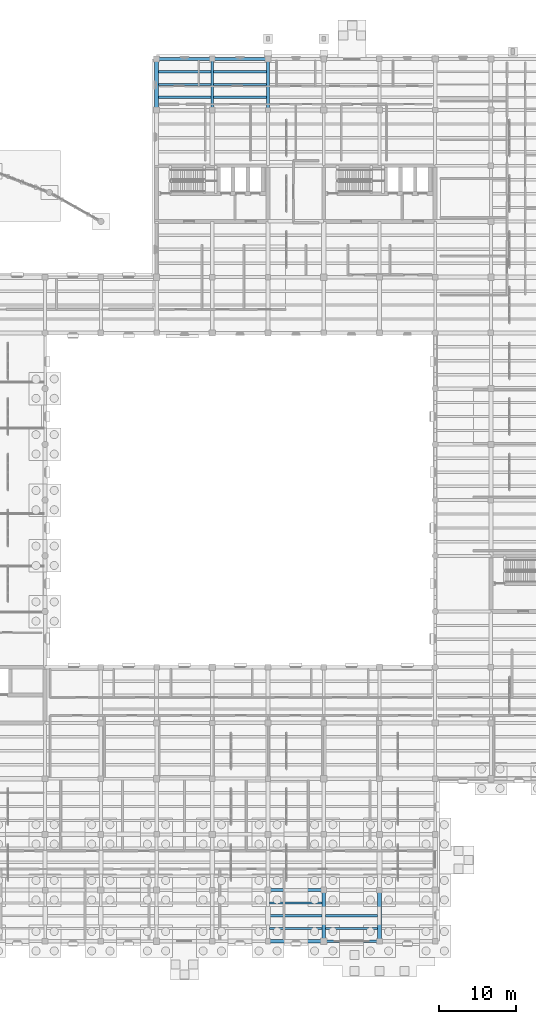
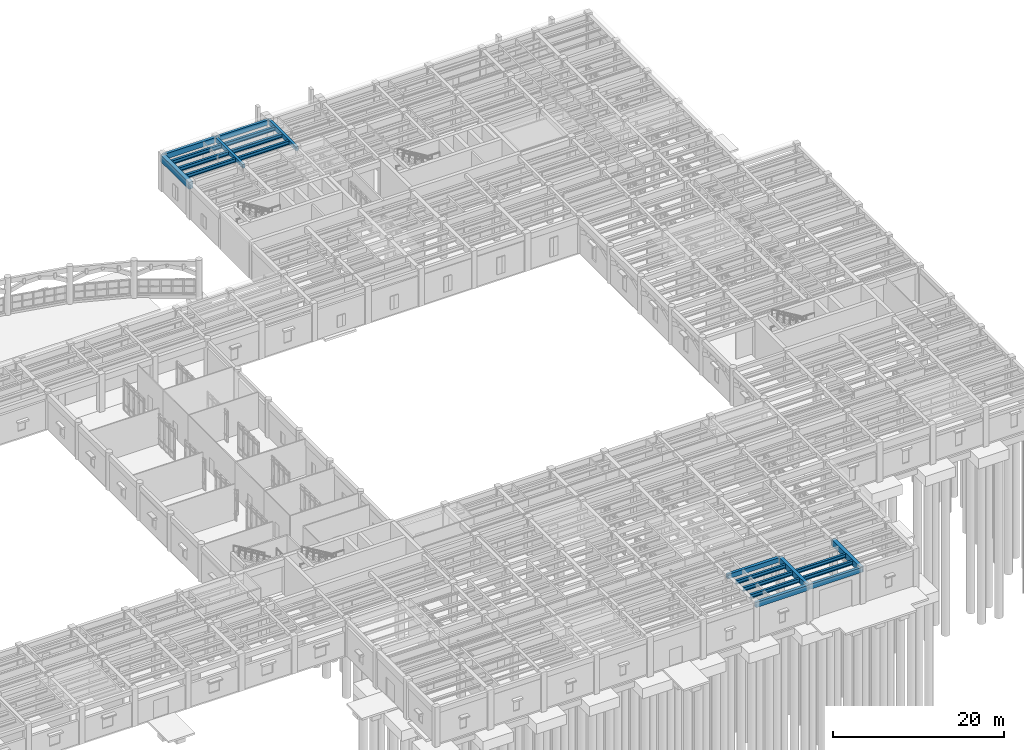
# One storey, part 34 of 100: 21 beams.
"""IFC4 building model written with IfcOpenShell, lengths in metres."""

from ifc_helpers import new_model, si_unit, direction, frame, origin, origin_2d, place, context, subcontext, project, spatial, rectangle, i_section, extrude, material, material_profile, profile_set, type_object, element, save


model = new_model("IFC4")

# Units and contexts
model_context = context("Model", 3, precision=1e-05, world=origin(), true_north=direction((0.0, 1.0)))
body_context = subcontext(model_context, "Body", "Model", "MODEL_VIEW")
ifc_project = project(units=[si_unit("LENGTHUNIT", "METRE"), si_unit("AREAUNIT", "SQUARE_METRE"), si_unit("VOLUMEUNIT", "CUBIC_METRE"), si_unit("PLANEANGLEUNIT", "RADIAN"), si_unit("MASSUNIT", "GRAM", prefix="KILO")], contexts=[model_context])

# Site, building, storey
site_placement = place(None, origin())
site = spatial("IfcSite", under=ifc_project, at=site_placement, CompositionType="ELEMENT")
building_placement = place(site_placement, origin())
building = spatial("IfcBuilding", under=site, at=building_placement, Name="Mithqara Police Headquarters", CompositionType="ELEMENT")
storey_placement = place(building_placement, origin())
storey = spatial("IfcBuildingStorey", under=building, at=storey_placement, Name="L00", CompositionType="ELEMENT", Elevation=0.0)

# Beams
ifc_material_1 = material(Name="Steel S355JR", Category="steel")
ifc_material_profile_1 = material_profile(ifc_material_1, i_section(OverallWidth=0.300048828125, OverallDepth=0.550048828125, WebThickness=0.014892578125, FlangeThickness=0.029052734375, FilletRadius=0.027099609375, at=origin_2d()), Name="HEB 550")
ifc_profile_set_1 = profile_set([ifc_material_profile_1], Name="Steel S355JR")
beam_type_1 = type_object("IfcBeamType", Name="BEAM HEB550", PredefinedType="BEAM", material=ifc_profile_set_1)
for number, where, z_axis, x_axis, name in (
    (1, (108.875, 109.050048828125, 4.844970703125), (1.0, 0.0, 0.0), (0.0, 1.0, 0.0), "L00 Composite Steel Joist 16-17/R.1"),
    (2, (108.875, 110.699951171875, 4.844970703125), (1.0, 0.0, 0.0), (0.0, 1.0, 0.0), "L00 Composite Steel Joist 16-17/R.2"),
    (3, (108.875, 112.35009765625, 4.844970703125), (1.0, 0.0, 0.0), (0.0, 1.0, 0.0), "L00 Composite Steel Joist 16-17/R.3"),
):
    element("IfcBeam", number, at=place(storey_placement, frame(where, z_axis=z_axis, x_axis=x_axis)), inside=storey, type_object=beam_type_1, Name=name, PredefinedType="BEAM", context=body_context, shape_type="SweptSolid", body=[
        extrude(i_section(OverallWidth=0.300048828125, OverallDepth=0.550048828125, WebThickness=0.014892578125, FlangeThickness=0.029052734375, FilletRadius=0.027099609375, at=origin_2d()), origin(), (0.0, 0.0, 1.0), 6.75),
    ])
for number, where, z_axis, x_axis, name in (
    (4, (115.97509765625, 109.050048828125, 4.844970703125), (1.0, 0.0, 0.0), (0.0, 1.0, 0.0), "L00 Composite Steel Joist 17-18/R.1"),
    (5, (115.97509765625, 110.699951171875, 4.844970703125), (1.0, 0.0, 0.0), (0.0, 1.0, 0.0), "L00 Composite Steel Joist 17-18/R.2"),
    (6, (115.97509765625, 112.35009765625, 4.844970703125), (1.0, 0.0, 0.0), (0.0, 1.0, 0.0), "L00 Composite Steel Joist 17-18/R.3"),
):
    element("IfcBeam", number, at=place(storey_placement, frame(where, z_axis=z_axis, x_axis=x_axis)), inside=storey, type_object=beam_type_1, Name=name, PredefinedType="BEAM", context=body_context, shape_type="SweptSolid", body=[
        extrude(i_section(OverallWidth=0.300048828125, OverallDepth=0.550048828125, WebThickness=0.014892578125, FlangeThickness=0.029052734375, FilletRadius=0.027099609375, at=origin_2d()), origin(), (0.0, 0.0, 1.0), 6.849853515625),
    ])
for number, where, z_axis, x_axis, name in (
    (7, (123.22509765625, 1.64990234375, 4.844970703125), (1.0, 0.0, 0.0), (0.0, 1.0, 0.0), "L00 Composite Steel Joist 18-19/A.1"),
    (8, (123.22509765625, 3.300048828125, 4.844970703125), (1.0, 0.0, 0.0), (0.0, 1.0, 0.0), "L00 Composite Steel Joist 18-19/A.2"),
    (9, (123.22509765625, 4.949951171875, 4.844970703125), (1.0, 0.0, 0.0), (0.0, 1.0, 0.0), "L00 Composite Steel Joist 18-19/A.3"),
):
    element("IfcBeam", number, at=place(storey_placement, frame(where, z_axis=z_axis, x_axis=x_axis)), inside=storey, type_object=beam_type_1, Name=name, PredefinedType="BEAM", context=body_context, shape_type="SweptSolid", body=[
        extrude(i_section(OverallWidth=0.300048828125, OverallDepth=0.550048828125, WebThickness=0.014892578125, FlangeThickness=0.029052734375, FilletRadius=0.027099609375, at=origin_2d()), origin(), (0.0, 0.0, 1.0), 6.75),
    ])
for number, where, z_axis, x_axis, name in (
    (10, (130.425048828125, 1.64990234375, 4.844970703125), (1.0, 0.0, 0.0), (0.0, 1.0, 0.0), "L00 Composite Steel Joist 19-20/A.1"),
    (11, (130.425048828125, 3.300048828125, 4.844970703125), (1.0, 0.0, 0.0), (0.0, 1.0, 0.0), "L00 Composite Steel Joist 19-20/A.2"),
):
    element("IfcBeam", number, at=place(storey_placement, frame(where, z_axis=z_axis, x_axis=x_axis)), inside=storey, type_object=beam_type_1, Name=name, PredefinedType="BEAM", context=body_context, shape_type="SweptSolid", body=[
        extrude(i_section(OverallWidth=0.300048828125, OverallDepth=0.550048828125, WebThickness=0.014892578125, FlangeThickness=0.029052734375, FilletRadius=0.027099609375, at=origin_2d()), origin(), (0.0, 0.0, 1.0), 6.724853515625),
    ])
ifc_material_2 = material(Name="Concrete C40/50", Category="concrete")
ifc_material_profile_2 = material_profile(ifc_material_2, rectangle(XDim=0.35009765625, YDim=0.550048828125, at=origin_2d()), Name="RC 350x550")
ifc_profile_set_2 = profile_set([ifc_material_profile_2], Name="Concrete C40/50")
beam_type_2 = type_object("IfcBeamType", Name="BEAM RC350X550", PredefinedType="BEAM", material=ifc_profile_set_2)
beam_1_placement = place(storey_placement, frame((115.800048828125, 107.39990234375, 4.844970703125), z_axis=(0.0, 1.0, 0.0), x_axis=(-1.0, 0.0, 0.0)))
element("IfcBeam", 12, at=beam_1_placement, inside=storey, type_object=beam_type_2, Name="L00 Girder 17/R-S", PredefinedType="BEAM", context=body_context, shape_type="SweptSolid", body=[
    extrude(rectangle(XDim=0.35009765625, YDim=0.550048828125, at=origin_2d()), origin(), (0.0, 0.0, 1.0), 6.60009765625),
])
ifc_material_profile_3 = material_profile(ifc_material_2, rectangle(XDim=0.35009765625, YDim=0.60009765625, at=origin_2d()), Name="RC 350x600")
ifc_profile_set_3 = profile_set([ifc_material_profile_3], Name="Concrete C40/50")
beam_type_3 = type_object("IfcBeamType", Name="BEAM RC350X600", PredefinedType="BEAM", material=ifc_profile_set_3)
beam_2_placement = place(storey_placement, frame((123.0, 107.39990234375, 4.820068359375), z_axis=(0.0, 1.0, 0.0), x_axis=(-1.0, 0.0, 0.0)))
element("IfcBeam", 13, at=beam_2_placement, inside=storey, type_object=beam_type_3, Name="L00 Girder 18/R-S", PredefinedType="BEAM", context=body_context, shape_type="SweptSolid", body=[
    extrude(rectangle(XDim=0.35009765625, YDim=0.60009765625, at=origin_2d()), origin(), (0.0, 0.0, 1.0), 6.60009765625),
])
ifc_material_profile_4 = material_profile(ifc_material_2, rectangle(XDim=0.39990234375, YDim=0.64990234375, at=origin_2d()), Name="RC 400x650")
ifc_profile_set_4 = profile_set([ifc_material_profile_4], Name="Concrete C40/50")
beam_type_4 = type_object("IfcBeamType", Name="BEAM RC400X650", PredefinedType="BEAM", material=ifc_profile_set_4)
beam_3_placement = place(storey_placement, frame((123.0, 6.60009765625, 4.794921875), z_axis=(1.0, 0.0, 0.0), x_axis=(0.0, 1.0, 0.0)))
element("IfcBeam", 14, at=beam_3_placement, inside=storey, type_object=beam_type_4, Name="L00 Girder 18-19/B", PredefinedType="BEAM", context=body_context, shape_type="SweptSolid", body=[
    extrude(rectangle(XDim=0.39990234375, YDim=0.64990234375, at=origin_2d()), origin(), (0.0, 0.0, 1.0), 7.199951171875),
])
ifc_material_profile_5 = material_profile(ifc_material_2, rectangle(XDim=0.449951171875, YDim=0.800048828125, at=origin_2d()), Name="RC 450x800")
ifc_profile_set_5 = profile_set([ifc_material_profile_5], Name="Concrete C40/50")
beam_type_5 = type_object("IfcBeamType", Name="BEAM RC450X800", PredefinedType="BEAM", material=ifc_profile_set_5)
beam_4_placement = place(storey_placement, frame((130.199951171875, 0.0, 4.719970703125), z_axis=(0.0, 1.0, 0.0), x_axis=(-1.0, 0.0, 0.0)))
element("IfcBeam", 15, at=beam_4_placement, inside=storey, type_object=beam_type_5, Name="L00 Girder 19/A-B", PredefinedType="BEAM", context=body_context, shape_type="SweptSolid", body=[
    extrude(rectangle(XDim=0.449951171875, YDim=0.800048828125, at=origin_2d()), origin(), (0.0, 0.0, 1.0), 6.60009765625),
])
ifc_material_profile_6 = material_profile(ifc_material_2, rectangle(XDim=0.5, YDim=0.85009765625, at=origin_2d()), Name="RC 500x850")
ifc_profile_set_6 = profile_set([ifc_material_profile_6], Name="Concrete C40/50")
beam_type_6 = type_object("IfcBeamType", Name="BEAM RC500X850", PredefinedType="BEAM", material=ifc_profile_set_6)
beam_5_placement = place(storey_placement, frame((137.39990234375, 0.0, 4.695068359375), z_axis=(0.0, 1.0, 0.0), x_axis=(-1.0, 0.0, 0.0)))
element("IfcBeam", 16, at=beam_5_placement, inside=storey, type_object=beam_type_6, Name="L00 Girder 20/A-B", PredefinedType="BEAM", context=body_context, shape_type="SweptSolid", body=[
    extrude(rectangle(XDim=0.5, YDim=0.85009765625, at=origin_2d()), origin(), (0.0, 0.0, 1.0), 6.60009765625),
])
ifc_material_3 = material(Name="Concrete C50/60", Category="concrete")
ifc_material_profile_7 = material_profile(ifc_material_3, rectangle(XDim=0.550048828125, YDim=1.0, at=origin_2d()), Name="RC 550x1000")
ifc_profile_set_7 = profile_set([ifc_material_profile_7], Name="Concrete C50/60")
beam_type_7 = type_object("IfcBeamType", Name="BEAM RC550X1000", PredefinedType="BEAM", material=ifc_profile_set_7)
beam_6_placement = place(storey_placement, frame((108.60009765625, 107.39990234375, 4.6201171875), z_axis=(0.0, 1.0, 0.0), x_axis=(-1.0, 0.0, 0.0)))
element("IfcBeam", 17, at=beam_6_placement, inside=storey, type_object=beam_type_7, Name="L00 Girder 16/R-S", PredefinedType="BEAM", context=body_context, shape_type="SweptSolid", body=[
    extrude(rectangle(XDim=0.550048828125, YDim=1.0, at=origin_2d()), origin(), (0.0, 0.0, 1.0), 6.60009765625),
])
ifc_material_profile_8 = material_profile(ifc_material_2, rectangle(XDim=0.35009765625, YDim=0.699951171875, at=origin_2d()), Name="SPB 350x700")
ifc_profile_set_8 = profile_set([ifc_material_profile_8], Name="Concrete C40/50")
beam_type_8 = type_object("IfcBeamType", Name="SPANDREL 350X700", PredefinedType="SPANDREL", material=ifc_profile_set_8)
for number, where, z_axis, x_axis, name in (
    (18, (115.800048828125, 114.0, 4.77001953125), (1.0, 0.0, 0.0), (0.0, 1.0, 0.0), "L00 Girder 17-18/S"),
    (19, (130.199951171875, 0.0, 4.77001953125), (1.0, 0.0, 0.0), (0.0, 1.0, 0.0), "L00 Girder 19-20/A"),
):
    element("IfcBeam", number, at=place(storey_placement, frame(where, z_axis=z_axis, x_axis=x_axis)), inside=storey, type_object=beam_type_8, Name=name, PredefinedType="SPANDREL", context=body_context, shape_type="SweptSolid", body=[
        extrude(rectangle(XDim=0.35009765625, YDim=0.699951171875, at=origin_2d()), origin(), (0.0, 0.0, 1.0), 7.199951171875),
    ])
ifc_material_profile_9 = material_profile(ifc_material_2, rectangle(XDim=0.39990234375, YDim=0.75, at=origin_2d()), Name="SPB 400x750")
ifc_profile_set_9 = profile_set([ifc_material_profile_9], Name="Concrete C40/50")
beam_type_9 = type_object("IfcBeamType", Name="SPANDREL 400X750", PredefinedType="SPANDREL", material=ifc_profile_set_9)
for number, where, z_axis, x_axis, name in (
    (20, (108.60009765625, 114.0, 4.7451171875), (1.0, 0.0, 0.0), (0.0, 1.0, 0.0), "L00 Girder 16-17/S"),
    (21, (123.0, 0.0, 4.7451171875), (1.0, 0.0, 0.0), (0.0, 1.0, 0.0), "L00 Girder 18-19/A"),
):
    element("IfcBeam", number, at=place(storey_placement, frame(where, z_axis=z_axis, x_axis=x_axis)), inside=storey, type_object=beam_type_9, Name=name, PredefinedType="SPANDREL", context=body_context, shape_type="SweptSolid", body=[
        extrude(rectangle(XDim=0.39990234375, YDim=0.75, at=origin_2d()), origin(), (0.0, 0.0, 1.0), 7.199951171875),
    ])

save(model, "model.ifc")
